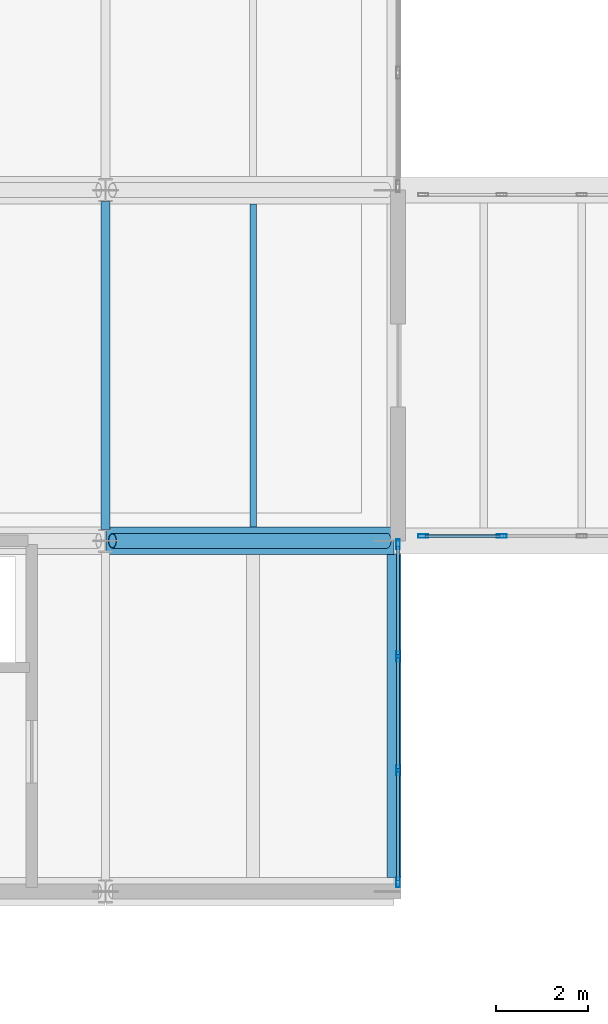
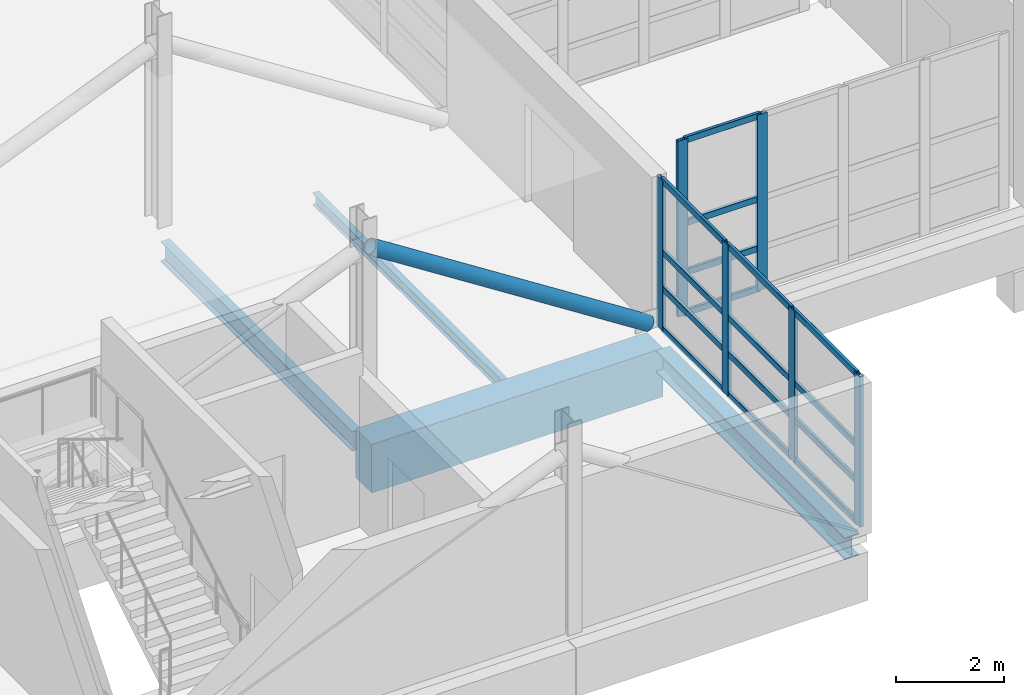
# One storey, part 13 of 141: 23 members, 4 beams, 2 elements without a shape of their own.
"""IFC4 building model written with IfcOpenShell, lengths in metres."""

from ifc_helpers import new_model, si_unit, direction, frame, origin, origin_2d, place, context, subcontext, project, spatial, rectangle, hollow_rectangle, hollow_circle, i_section, extrude, material, material_profile, profile_set, type_object, element, aggregate, save


model = new_model("IFC4")

# Units and contexts
model_context = context("Model", 3, precision=1e-05, world=origin(), true_north=direction((0.0, 1.0)))
body_context = subcontext(model_context, "Body", "Model", "MODEL_VIEW")
ifc_project = project(units=[si_unit("LENGTHUNIT", "METRE"), si_unit("AREAUNIT", "SQUARE_METRE"), si_unit("VOLUMEUNIT", "CUBIC_METRE"), si_unit("PLANEANGLEUNIT", "RADIAN"), si_unit("MASSUNIT", "GRAM", prefix="KILO")], contexts=[model_context])

# Site, building, storey
site_placement = place(None, origin())
site = spatial("IfcSite", under=ifc_project, at=site_placement, CompositionType="ELEMENT")
building_placement = place(site_placement, origin())
building = spatial("IfcBuilding", under=site, at=building_placement, Name="Khelvaren Railside Concert Hall", CompositionType="ELEMENT")
storey_placement = place(building_placement, frame((0.0, 0.0, 10.199951171875)))
storey = spatial("IfcBuildingStorey", under=building, at=storey_placement, Name="L02", CompositionType="ELEMENT", Elevation=10.199951171875)

# Beam
ifc_material_1 = material(Name="Steel S355", Category="steel")
ifc_material_profile_1 = material_profile(ifc_material_1, i_section(OverallWidth=0.18994140625, OverallDepth=0.449951171875, WebThickness=0.009521484375, FlangeThickness=0.0146484375, FilletRadius=0.02099609375, at=origin_2d()), Name="IPE 450")
ifc_profile_set_1 = profile_set([ifc_material_profile_1], Name="Steel S355")
beam_type_1 = type_object("IfcBeamType", Name="BM95", PredefinedType="BEAM", material=ifc_profile_set_1)
beam_1_placement = place(storey_placement, frame((49.60009765625, 7.85009765625, -0.514892578125), z_axis=(0.0, 1.0, 0.0), x_axis=(-1.0, 0.0, 0.0)))
element("IfcBeam", 1, at=beam_1_placement, inside=storey, type_object=beam_type_1, Name="V1 L02 Beam Y7.2", PredefinedType="BEAM", context=body_context, shape_type="SweptSolid", body=[
    extrude(i_section(OverallWidth=0.18994140625, OverallDepth=0.449951171875, WebThickness=0.009521484375, FlangeThickness=0.0146484375, FilletRadius=0.02099609375, at=origin_2d()), origin(), (0.0, 0.0, 1.0), 7.099853515625),
])

# Member
ifc_material_profile_2 = material_profile(ifc_material_1, hollow_circle(Radius=0.161865234375, WallThickness=0.01611328125, at=origin_2d()), Name="CHS 323.9x16")
ifc_profile_set_2 = profile_set([ifc_material_profile_2], Name="Steel S355")
member_type_1 = type_object("IfcMemberType", Name="BR78", PredefinedType="BRACE", material=ifc_profile_set_2)
member_1_placement = place(storey_placement, frame((49.75, 7.60009765625, 3.969970703125), z_axis=(0.841509273877, 0.0, -0.540242669528), x_axis=(0.0, 1.0, 0.0)))
element("IfcMember", 2, at=member_1_placement, inside=storey, type_object=member_type_1, Name="V1 L02 Plaza Cantilever Truss Diagonal 2A", PredefinedType="BRACE", context=body_context, shape_type="SweptSolid", body=[
    extrude(hollow_circle(Radius=0.161865234375, WallThickness=0.01611328125, at=origin_2d()), origin(), (0.0, 0.0, 1.0), 7.070556640625),
])

# Curtain wall, members
ifc_material_2 = material(Name="Double-glazed clear foyer glass", Category="glass")
curtain_wall_type_1 = type_object("IfcCurtainWallType", Name="CW70", PredefinedType="USERDEFINED", material=ifc_material_2)
curtain_wall_1_placement = place(storey_placement, origin())
curtain_wall_1 = element("IfcCurtainWall", 3, at=curtain_wall_1_placement, inside=storey, type_object=curtain_wall_type_1, Name="Unitised Curtain Wall CW-V1-L02-E-0", ObjectType="UNITISED CURTAIN WALL", PredefinedType="USERDEFINED")
ifc_material_3 = material(Name="Anodised architectural aluminium 6063-T6", Category="aluminium")
ifc_material_profile_3 = material_profile(ifc_material_3, hollow_rectangle(XDim=0.074951171875, YDim=0.219970703125, WallThickness=0.0048828125, InnerFilletRadius=0.0029296875, OuterFilletRadius=0.0048828125, at=origin_2d()), Name="CWM 75x220x5")
ifc_profile_set_3 = profile_set([ifc_material_profile_3], Name="Anodised architectural aluminium 6063-T6")
member_type_2 = type_object("IfcMemberType", Name="CWM13", PredefinedType="MULLION", material=ifc_profile_set_3)
member_2_placement = place(storey_placement, frame((55.93994140625, 7.5224609375, 0.0), z_axis=(0.0, 0.0, 1.0), x_axis=(1.0, 0.0, 0.0)))
member_2 = element("IfcMember", 4, at=member_2_placement, type_object=member_type_2, Name="CW70 mullion 1", PredefinedType="MULLION", context=body_context, shape_type="SweptSolid", body=[
    extrude(hollow_rectangle(XDim=0.074951171875, YDim=0.219970703125, WallThickness=0.0048828125, InnerFilletRadius=0.0029296875, OuterFilletRadius=0.0048828125, at=origin_2d()), origin(), (0.0, 0.0, 1.0), 3.41015625),
])
member_3_placement = place(storey_placement, frame((55.93994140625, 5.09326171875, 0.0), z_axis=(0.0, 0.0, 1.0), x_axis=(1.0, 0.0, 0.0)))
member_3 = element("IfcMember", 5, at=member_3_placement, type_object=member_type_2, Name="CW70 mullion 2", PredefinedType="MULLION", context=body_context, shape_type="SweptSolid", body=[
    extrude(hollow_rectangle(XDim=0.074951171875, YDim=0.219970703125, WallThickness=0.0048828125, InnerFilletRadius=0.0029296875, OuterFilletRadius=0.0048828125, at=origin_2d()), origin(), (0.0, 0.0, 1.0), 3.41015625),
])
member_4_placement = place(storey_placement, frame((55.93994140625, 2.626708984375, 0.0), z_axis=(0.0, 0.0, 1.0), x_axis=(1.0, 0.0, 0.0)))
member_4 = element("IfcMember", 6, at=member_4_placement, type_object=member_type_2, Name="CW70 mullion 3", PredefinedType="MULLION", context=body_context, shape_type="SweptSolid", body=[
    extrude(hollow_rectangle(XDim=0.074951171875, YDim=0.219970703125, WallThickness=0.0048828125, InnerFilletRadius=0.0029296875, OuterFilletRadius=0.0048828125, at=origin_2d()), origin(), (0.0, 0.0, 1.0), 3.41015625),
])
member_5_placement = place(storey_placement, frame((55.93994140625, 0.197509765625, 0.0), z_axis=(0.0, 0.0, 1.0), x_axis=(1.0, 0.0, 0.0)))
member_5 = element("IfcMember", 7, at=member_5_placement, type_object=member_type_2, Name="CW70 mullion 4", PredefinedType="MULLION", context=body_context, shape_type="SweptSolid", body=[
    extrude(hollow_rectangle(XDim=0.074951171875, YDim=0.219970703125, WallThickness=0.0048828125, InnerFilletRadius=0.0029296875, OuterFilletRadius=0.0048828125, at=origin_2d()), origin(), (0.0, 0.0, 1.0), 3.41015625),
])

curtain_wall_type_2 = type_object("IfcCurtainWallType", Name="CW47", PredefinedType="USERDEFINED", material=ifc_material_2)
curtain_wall_2_placement = place(storey_placement, origin())
curtain_wall_2 = element("IfcCurtainWall", 8, at=curtain_wall_2_placement, inside=storey, type_object=curtain_wall_type_2, Name="Unitised Curtain Wall CW-LB1-L02-S", ObjectType="UNITISED CURTAIN WALL", PredefinedType="USERDEFINED")
member_6_placement = place(storey_placement, frame((58.1875, 7.699951171875, 0.0), z_axis=(0.0, 0.0, 1.0), x_axis=(0.0, -1.0, 0.0)))
member_6 = element("IfcMember", 9, at=member_6_placement, type_object=member_type_2, Name="CW47 mullion 4", PredefinedType="MULLION", context=body_context, shape_type="SweptSolid", body=[
    extrude(hollow_rectangle(XDim=0.074951171875, YDim=0.219970703125, WallThickness=0.0048828125, InnerFilletRadius=0.0029296875, OuterFilletRadius=0.0048828125, at=origin_2d()), origin(), (0.0, 0.0, 1.0), 3.97998046875),
])
member_7_placement = place(storey_placement, frame((56.487548828125, 7.699951171875, 0.0), z_axis=(0.0, 0.0, 1.0), x_axis=(0.0, -1.0, 0.0)))
member_7 = element("IfcMember", 10, at=member_7_placement, type_object=member_type_2, Name="CW47 mullion 5", PredefinedType="MULLION", context=body_context, shape_type="SweptSolid", body=[
    extrude(hollow_rectangle(XDim=0.074951171875, YDim=0.219970703125, WallThickness=0.0048828125, InnerFilletRadius=0.0029296875, OuterFilletRadius=0.0048828125, at=origin_2d()), origin(), (0.0, 0.0, 1.0), 3.97998046875),
])

# Member
ifc_material_profile_4 = material_profile(ifc_material_3, hollow_rectangle(XDim=0.06494140625, YDim=0.139892578125, WallThickness=0.00390625, InnerFilletRadius=0.001953125, OuterFilletRadius=0.00390625, at=origin_2d()), Name="CWT 65x140x4")
ifc_profile_set_4 = profile_set([ifc_material_profile_4], Name="Anodised architectural aluminium 6063-T6")
member_type_3 = type_object("IfcMemberType", Name="CWT72", PredefinedType="USERDEFINED", material=ifc_profile_set_4)
member_8_placement = place(storey_placement, frame((55.93994140625, 7.485107421875, 0.032470703125), z_axis=(0.0, -1.0, 0.0), x_axis=(1.0, 0.0, 0.0)))
member_8 = element("IfcMember", 11, at=member_8_placement, type_object=member_type_3, Name="CW70 transom 1.1", ObjectType="TRANSOM", PredefinedType="USERDEFINED", context=body_context, shape_type="SweptSolid", body=[
    extrude(hollow_rectangle(XDim=0.06494140625, YDim=0.139892578125, WallThickness=0.00390625, InnerFilletRadius=0.001953125, OuterFilletRadius=0.00390625, at=origin_2d()), origin(), (0.0, 0.0, 1.0), 2.354248046875),
])

member_9_placement = place(storey_placement, frame((55.93994140625, 7.485107421875, 0.949951171875), z_axis=(0.0, -1.0, 0.0), x_axis=(1.0, 0.0, 0.0)))
member_9 = element("IfcMember", 12, at=member_9_placement, type_object=member_type_3, Name="CW70 transom 1.2", ObjectType="TRANSOM", PredefinedType="USERDEFINED", context=body_context, shape_type="SweptSolid", body=[
    extrude(hollow_rectangle(XDim=0.06494140625, YDim=0.139892578125, WallThickness=0.00390625, InnerFilletRadius=0.001953125, OuterFilletRadius=0.00390625, at=origin_2d()), origin(), (0.0, 0.0, 1.0), 2.354248046875),
])

member_10_placement = place(storey_placement, frame((55.93994140625, 7.485107421875, 1.773193359375), z_axis=(0.0, -1.0, 0.0), x_axis=(1.0, 0.0, 0.0)))
member_10 = element("IfcMember", 13, at=member_10_placement, type_object=member_type_3, Name="CW70 transom 1.3", ObjectType="TRANSOM", PredefinedType="USERDEFINED", context=body_context, shape_type="SweptSolid", body=[
    extrude(hollow_rectangle(XDim=0.06494140625, YDim=0.139892578125, WallThickness=0.00390625, InnerFilletRadius=0.001953125, OuterFilletRadius=0.00390625, at=origin_2d()), origin(), (0.0, 0.0, 1.0), 2.354248046875),
])

member_11_placement = place(storey_placement, frame((55.93994140625, 7.485107421875, 3.37744140625), z_axis=(0.0, -1.0, 0.0), x_axis=(1.0, 0.0, 0.0)))
member_11 = element("IfcMember", 14, at=member_11_placement, type_object=member_type_3, Name="CW70 transom 1.4", ObjectType="TRANSOM", PredefinedType="USERDEFINED", context=body_context, shape_type="SweptSolid", body=[
    extrude(hollow_rectangle(XDim=0.06494140625, YDim=0.139892578125, WallThickness=0.00390625, InnerFilletRadius=0.001953125, OuterFilletRadius=0.00390625, at=origin_2d()), origin(), (0.0, 0.0, 1.0), 2.354248046875),
])

member_12_placement = place(storey_placement, frame((55.93994140625, 5.055908203125, 0.032470703125), z_axis=(0.0, -1.0, 0.0), x_axis=(1.0, 0.0, 0.0)))
member_12 = element("IfcMember", 15, at=member_12_placement, type_object=member_type_3, Name="CW70 transom 2.1", ObjectType="TRANSOM", PredefinedType="USERDEFINED", context=body_context, shape_type="SweptSolid", body=[
    extrude(hollow_rectangle(XDim=0.06494140625, YDim=0.139892578125, WallThickness=0.00390625, InnerFilletRadius=0.001953125, OuterFilletRadius=0.00390625, at=origin_2d()), origin(), (0.0, 0.0, 1.0), 2.391845703125),
])

member_13_placement = place(storey_placement, frame((55.93994140625, 5.055908203125, 0.949951171875), z_axis=(0.0, -1.0, 0.0), x_axis=(1.0, 0.0, 0.0)))
member_13 = element("IfcMember", 16, at=member_13_placement, type_object=member_type_3, Name="CW70 transom 2.2", ObjectType="TRANSOM", PredefinedType="USERDEFINED", context=body_context, shape_type="SweptSolid", body=[
    extrude(hollow_rectangle(XDim=0.06494140625, YDim=0.139892578125, WallThickness=0.00390625, InnerFilletRadius=0.001953125, OuterFilletRadius=0.00390625, at=origin_2d()), origin(), (0.0, 0.0, 1.0), 2.391845703125),
])

member_14_placement = place(storey_placement, frame((55.93994140625, 5.055908203125, 1.773193359375), z_axis=(0.0, -1.0, 0.0), x_axis=(1.0, 0.0, 0.0)))
member_14 = element("IfcMember", 17, at=member_14_placement, type_object=member_type_3, Name="CW70 transom 2.3", ObjectType="TRANSOM", PredefinedType="USERDEFINED", context=body_context, shape_type="SweptSolid", body=[
    extrude(hollow_rectangle(XDim=0.06494140625, YDim=0.139892578125, WallThickness=0.00390625, InnerFilletRadius=0.001953125, OuterFilletRadius=0.00390625, at=origin_2d()), origin(), (0.0, 0.0, 1.0), 2.391845703125),
])

member_15_placement = place(storey_placement, frame((55.93994140625, 5.055908203125, 3.37744140625), z_axis=(0.0, -1.0, 0.0), x_axis=(1.0, 0.0, 0.0)))
member_15 = element("IfcMember", 18, at=member_15_placement, type_object=member_type_3, Name="CW70 transom 2.4", ObjectType="TRANSOM", PredefinedType="USERDEFINED", context=body_context, shape_type="SweptSolid", body=[
    extrude(hollow_rectangle(XDim=0.06494140625, YDim=0.139892578125, WallThickness=0.00390625, InnerFilletRadius=0.001953125, OuterFilletRadius=0.00390625, at=origin_2d()), origin(), (0.0, 0.0, 1.0), 2.391845703125),
])

member_16_placement = place(storey_placement, frame((55.93994140625, 2.589111328125, 0.032470703125), z_axis=(0.0, -1.0, 0.0), x_axis=(1.0, 0.0, 0.0)))
member_16 = element("IfcMember", 19, at=member_16_placement, type_object=member_type_3, Name="CW70 transom 3.1", ObjectType="TRANSOM", PredefinedType="USERDEFINED", context=body_context, shape_type="SweptSolid", body=[
    extrude(hollow_rectangle(XDim=0.06494140625, YDim=0.139892578125, WallThickness=0.00390625, InnerFilletRadius=0.001953125, OuterFilletRadius=0.00390625, at=origin_2d()), origin(), (0.0, 0.0, 1.0), 2.35400390625),
])

member_17_placement = place(storey_placement, frame((55.93994140625, 2.589111328125, 0.949951171875), z_axis=(0.0, -1.0, 0.0), x_axis=(1.0, 0.0, 0.0)))
member_17 = element("IfcMember", 20, at=member_17_placement, type_object=member_type_3, Name="CW70 transom 3.2", ObjectType="TRANSOM", PredefinedType="USERDEFINED", context=body_context, shape_type="SweptSolid", body=[
    extrude(hollow_rectangle(XDim=0.06494140625, YDim=0.139892578125, WallThickness=0.00390625, InnerFilletRadius=0.001953125, OuterFilletRadius=0.00390625, at=origin_2d()), origin(), (0.0, 0.0, 1.0), 2.35400390625),
])

member_18_placement = place(storey_placement, frame((55.93994140625, 2.589111328125, 1.773193359375), z_axis=(0.0, -1.0, 0.0), x_axis=(1.0, 0.0, 0.0)))
member_18 = element("IfcMember", 21, at=member_18_placement, type_object=member_type_3, Name="CW70 transom 3.3", ObjectType="TRANSOM", PredefinedType="USERDEFINED", context=body_context, shape_type="SweptSolid", body=[
    extrude(hollow_rectangle(XDim=0.06494140625, YDim=0.139892578125, WallThickness=0.00390625, InnerFilletRadius=0.001953125, OuterFilletRadius=0.00390625, at=origin_2d()), origin(), (0.0, 0.0, 1.0), 2.35400390625),
])

member_19_placement = place(storey_placement, frame((55.93994140625, 2.589111328125, 3.37744140625), z_axis=(0.0, -1.0, 0.0), x_axis=(1.0, 0.0, 0.0)))
member_19 = element("IfcMember", 22, at=member_19_placement, type_object=member_type_3, Name="CW70 transom 3.4", ObjectType="TRANSOM", PredefinedType="USERDEFINED", context=body_context, shape_type="SweptSolid", body=[
    extrude(hollow_rectangle(XDim=0.06494140625, YDim=0.139892578125, WallThickness=0.00390625, InnerFilletRadius=0.001953125, OuterFilletRadius=0.00390625, at=origin_2d()), origin(), (0.0, 0.0, 1.0), 2.35400390625),
])

aggregate(curtain_wall_1, [member_2, member_3, member_4, member_5, member_8, member_9, member_10, member_11, member_12, member_13, member_14, member_15, member_16, member_17, member_18, member_19])

member_20_placement = place(storey_placement, frame((58.14990234375, 7.699951171875, 0.032470703125), z_axis=(-1.0, 0.0, 0.0), x_axis=(0.0, -1.0, 0.0)))
member_20 = element("IfcMember", 23, at=member_20_placement, type_object=member_type_3, Name="CW47 transom 4.1", ObjectType="TRANSOM", PredefinedType="USERDEFINED", context=body_context, shape_type="SweptSolid", body=[
    extrude(hollow_rectangle(XDim=0.06494140625, YDim=0.139892578125, WallThickness=0.00390625, InnerFilletRadius=0.001953125, OuterFilletRadius=0.00390625, at=origin_2d()), origin(), (0.0, 0.0, 1.0), 1.625),
])

member_21_placement = place(storey_placement, frame((58.14990234375, 7.699951171875, 0.949951171875), z_axis=(-1.0, 0.0, 0.0), x_axis=(0.0, -1.0, 0.0)))
member_21 = element("IfcMember", 24, at=member_21_placement, type_object=member_type_3, Name="CW47 transom 4.2", ObjectType="TRANSOM", PredefinedType="USERDEFINED", context=body_context, shape_type="SweptSolid", body=[
    extrude(hollow_rectangle(XDim=0.06494140625, YDim=0.139892578125, WallThickness=0.00390625, InnerFilletRadius=0.001953125, OuterFilletRadius=0.00390625, at=origin_2d()), origin(), (0.0, 0.0, 1.0), 1.625),
])

member_22_placement = place(storey_placement, frame((58.14990234375, 7.699951171875, 2.069580078125), z_axis=(-1.0, 0.0, 0.0), x_axis=(0.0, -1.0, 0.0)))
member_22 = element("IfcMember", 25, at=member_22_placement, type_object=member_type_3, Name="CW47 transom 4.3", ObjectType="TRANSOM", PredefinedType="USERDEFINED", context=body_context, shape_type="SweptSolid", body=[
    extrude(hollow_rectangle(XDim=0.06494140625, YDim=0.139892578125, WallThickness=0.00390625, InnerFilletRadius=0.001953125, OuterFilletRadius=0.00390625, at=origin_2d()), origin(), (0.0, 0.0, 1.0), 1.625),
])

member_23_placement = place(storey_placement, frame((58.14990234375, 7.699951171875, 3.947509765625), z_axis=(-1.0, 0.0, 0.0), x_axis=(0.0, -1.0, 0.0)))
member_23 = element("IfcMember", 26, at=member_23_placement, type_object=member_type_3, Name="CW47 transom 4.4", ObjectType="TRANSOM", PredefinedType="USERDEFINED", context=body_context, shape_type="SweptSolid", body=[
    extrude(hollow_rectangle(XDim=0.06494140625, YDim=0.139892578125, WallThickness=0.00390625, InnerFilletRadius=0.001953125, OuterFilletRadius=0.00390625, at=origin_2d()), origin(), (0.0, 0.0, 1.0), 1.625),
])

aggregate(curtain_wall_2, [member_6, member_7, member_20, member_21, member_22, member_23])

# Beams
ifc_material_4 = material(Name="Concrete C40/50", Category="concrete")
ifc_material_profile_5 = material_profile(ifc_material_4, rectangle(XDim=0.60009765625, YDim=1.10009765625, at=origin_2d()), Name="RCB 600x1100")
ifc_profile_set_5 = profile_set([ifc_material_profile_5], Name="Concrete C40/50")
beam_type_2 = type_object("IfcBeamType", Name="GR15", PredefinedType="T_BEAM", material=ifc_profile_set_5)
beam_2_placement = place(storey_placement, frame((49.610107421875, 7.60009765625, -0.83984375), z_axis=(1.0, 0.0, 0.0), x_axis=(0.0, 1.0, 0.0)))
element("IfcBeam", 27, at=beam_2_placement, inside=storey, type_object=beam_type_2, Name="V1 L02 Arrival Cantilever Girder 2", PredefinedType="T_BEAM", context=body_context, shape_type="SweptSolid", body=[
    extrude(rectangle(XDim=0.60009765625, YDim=1.10009765625, at=origin_2d()), origin(), (0.0, 0.0, 1.0), 6.239990234375),
])
ifc_material_profile_6 = material_profile(ifc_material_1, i_section(OverallWidth=0.135009765625, OverallDepth=0.27001953125, WebThickness=0.006591796875, FlangeThickness=0.01025390625, FilletRadius=0.014892578125, at=origin_2d()), Name="IPE 270")
ifc_profile_set_6 = profile_set([ifc_material_profile_6], Name="Steel S355")
beam_type_3 = type_object("IfcBeamType", Name="JS78", PredefinedType="JOIST", material=ifc_profile_set_6)
beam_3_placement = place(storey_placement, frame((52.800048828125, 7.89990234375, -0.425048828125), z_axis=(0.0, 1.0, 0.0), x_axis=(-1.0, 0.0, 0.0)))
element("IfcBeam", 28, at=beam_3_placement, inside=storey, type_object=beam_type_3, Name="V1 L02 Secondary Joist 7.2", PredefinedType="JOIST", context=body_context, shape_type="SweptSolid", body=[
    extrude(i_section(OverallWidth=0.135009765625, OverallDepth=0.27001953125, WebThickness=0.006591796875, FlangeThickness=0.01025390625, FilletRadius=0.014892578125, at=origin_2d()), origin(), (0.0, 0.0, 1.0), 7.0),
])
ifc_material_profile_7 = material_profile(ifc_material_1, i_section(OverallWidth=0.300048828125, OverallDepth=0.5, WebThickness=0.014404296875, FlangeThickness=0.028076171875, FilletRadius=0.027099609375, at=origin_2d()), Name="HEB 500")
ifc_profile_set_7 = profile_set([ifc_material_profile_7], Name="Steel S355")
beam_type_4 = type_object("IfcBeamType", Name="SP12", PredefinedType="SPANDREL", material=ifc_profile_set_7)
beam_4_placement = place(storey_placement, frame((55.85009765625, 0.300048828125, -0.5400390625), z_axis=(0.0, 1.0, 0.0), x_axis=(-1.0, 0.0, 0.0)))
element("IfcBeam", 29, at=beam_4_placement, inside=storey, type_object=beam_type_4, Name="V1 L02 Cantilever Tip Spandrel Y1", PredefinedType="SPANDREL", context=body_context, shape_type="SweptSolid", body=[
    extrude(i_section(OverallWidth=0.300048828125, OverallDepth=0.5, WebThickness=0.014404296875, FlangeThickness=0.028076171875, FilletRadius=0.027099609375, at=origin_2d()), origin(), (0.0, 0.0, 1.0), 7.0),
])

save(model, "model.ifc")
